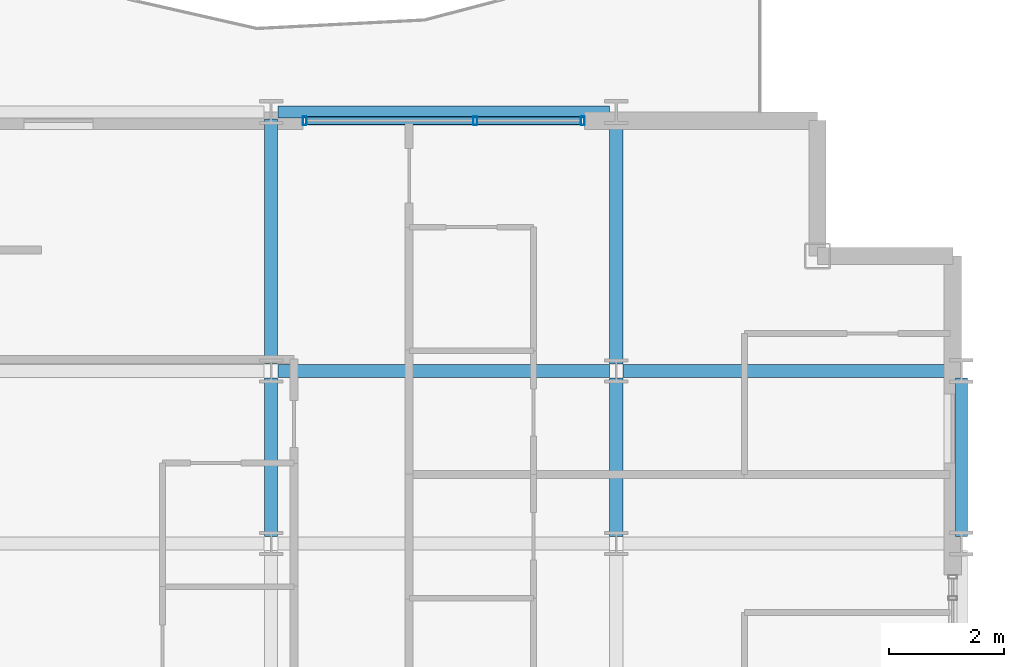
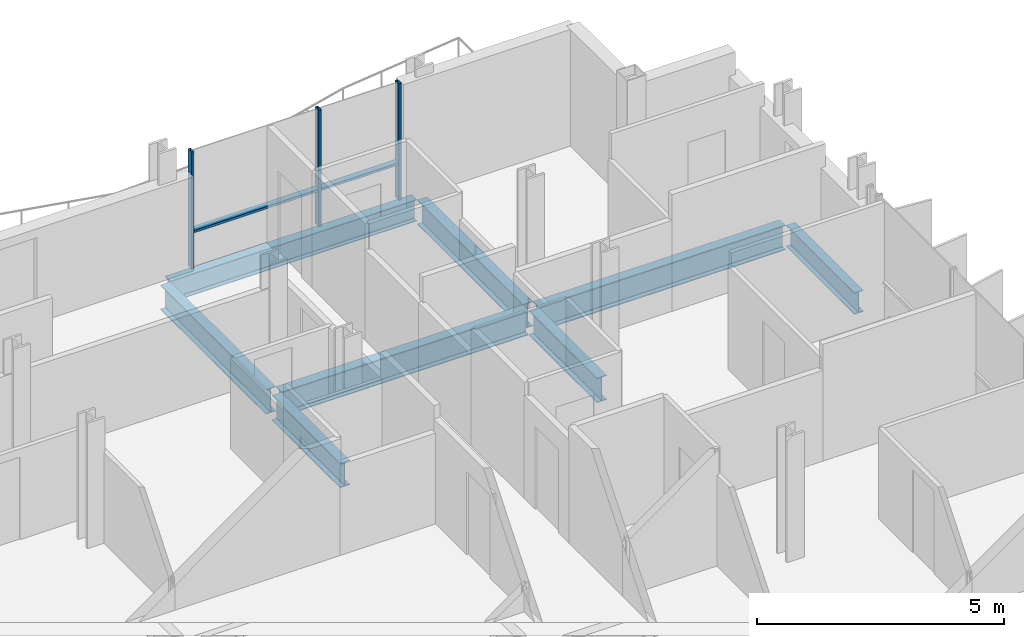
# One storey, part 20 of 38: 8 beams, 5 members, 1 element without a shape of its own.
"""IFC4 building model written with IfcOpenShell, lengths in metres."""

from ifc_helpers import new_model, si_unit, direction, frame, origin, origin_2d, place, context, subcontext, project, spatial, hollow_rectangle, i_section, extrude, material, layer, layer_set, material_profile, profile_set, type_object, element, aggregate, save


model = new_model("IFC4")

# Units and contexts
model_context = context("Model", 3, precision=1e-05, world=origin(), true_north=direction((0.0, 1.0)))
body_context = subcontext(model_context, "Body", "Model", "MODEL_VIEW")
ifc_project = project(units=[si_unit("LENGTHUNIT", "METRE"), si_unit("AREAUNIT", "SQUARE_METRE"), si_unit("VOLUMEUNIT", "CUBIC_METRE"), si_unit("PLANEANGLEUNIT", "RADIAN"), si_unit("MASSUNIT", "GRAM", prefix="KILO")], contexts=[model_context])

# Site, building, storey
site_placement = place(None, origin())
site = spatial("IfcSite", under=ifc_project, at=site_placement, CompositionType="ELEMENT")
building_placement = place(site_placement, origin())
building = spatial("IfcBuilding", under=site, at=building_placement, Name="Brevholm Reach", CompositionType="ELEMENT")
storey_placement = place(building_placement, frame((0.0, 0.0, 122.10009765625)))
storey = spatial("IfcBuildingStorey", under=building, at=storey_placement, Name="L36", CompositionType="ELEMENT", Elevation=122.10009765625)

# Beams
ifc_material_1 = material(Name="Structural Steel S355J2", Category="steel")
ifc_material_profile_1 = material_profile(ifc_material_1, i_section(OverallWidth=0.209228515625, OverallDepth=0.533203125, WebThickness=0.010009765625, FlangeThickness=0.015625, FilletRadius=0.0126953125, at=origin_2d()), Name="UKB 533x210x92")
ifc_profile_set_1 = profile_set([ifc_material_profile_1], Name="Structural Steel S355J2")
beam_type_1 = type_object("IfcBeamType", Name="BM-SP533", PredefinedType="SPANDREL", material=ifc_profile_set_1)
beam_1_placement = place(storey_placement, frame((48.1201171875, 31.0, -0.486572265625), z_axis=(1.0, 0.0, 0.0), x_axis=(0.0, 1.0, 0.0)))
element("IfcBeam", 1, at=beam_1_placement, inside=storey, type_object=beam_type_1, Name="L36 SP-02 Framing Beam", PredefinedType="SPANDREL", context=body_context, shape_type="SweptSolid", body=[
    extrude(i_section(OverallWidth=0.209228515625, OverallDepth=0.533203125, WebThickness=0.010009765625, FlangeThickness=0.015625, FilletRadius=0.0126953125, at=origin_2d()), origin(), (0.0, 0.0, 1.0), 5.759765625),
])
beam_2_placement = place(storey_placement, frame((60.0, 23.6201171875, -0.486572265625), z_axis=(0.0, 1.0, 0.0), x_axis=(-1.0, 0.0, 0.0)))
element("IfcBeam", 2, at=beam_2_placement, inside=storey, type_object=beam_type_1, Name="L36 SP-02 Framing Beam", PredefinedType="SPANDREL", context=body_context, shape_type="SweptSolid", body=[
    extrude(i_section(OverallWidth=0.209228515625, OverallDepth=0.533203125, WebThickness=0.010009765625, FlangeThickness=0.015625, FilletRadius=0.0126953125, at=origin_2d()), origin(), (0.0, 0.0, 1.0), 2.759765625),
])
ifc_material_2 = material(Name="Structural Steel S355J2", Category="steel")
ifc_material_profile_2 = material_profile(ifc_material_2, i_section(OverallWidth=0.22900390625, OverallDepth=0.6123046875, WebThickness=0.011962890625, FlangeThickness=0.01953125, FilletRadius=0.0126953125, at=origin_2d()), Name="UKB 610x229x125")
ifc_profile_set_2 = profile_set([ifc_material_profile_2], Name="Structural Steel S355J2")
beam_type_2 = type_object("IfcBeamType", Name="BM-SP610", PredefinedType="SPANDREL", material=ifc_profile_set_2)
for number, where, z_axis, x_axis, name in (
    (3, (48.1201171875, 26.5, -0.526123046875), (1.0, 0.0, 0.0), (0.0, 1.0, 0.0), "L36 SP-01 Framing Beam"),
    (4, (54.1201171875, 26.5, -0.526123046875), (1.0, 0.0, 0.0), (0.0, 1.0, 0.0), "L36 SP-01 Framing Beam"),
):
    element("IfcBeam", number, at=place(storey_placement, frame(where, z_axis=z_axis, x_axis=x_axis)), inside=storey, type_object=beam_type_2, Name=name, PredefinedType="SPANDREL", context=body_context, shape_type="SweptSolid", body=[
        extrude(i_section(OverallWidth=0.22900390625, OverallDepth=0.6123046875, WebThickness=0.011962890625, FlangeThickness=0.01953125, FilletRadius=0.0126953125, at=origin_2d()), origin(), (0.0, 0.0, 1.0), 5.759765625),
    ])
beam_3_placement = place(storey_placement, frame((48.0, 23.6201171875, -0.526123046875), z_axis=(0.0, 1.0, 0.0), x_axis=(-1.0, 0.0, 0.0)))
element("IfcBeam", 5, at=beam_3_placement, inside=storey, type_object=beam_type_2, Name="L36 SP-01 Framing Beam", PredefinedType="SPANDREL", context=body_context, shape_type="SweptSolid", body=[
    extrude(i_section(OverallWidth=0.22900390625, OverallDepth=0.6123046875, WebThickness=0.011962890625, FlangeThickness=0.01953125, FilletRadius=0.0126953125, at=origin_2d()), origin(), (0.0, 0.0, 1.0), 2.759765625),
])
beam_4_placement = place(storey_placement, frame((48.0, 26.6201171875, -0.526123046875), z_axis=(0.0, 1.0, 0.0), x_axis=(-1.0, 0.0, 0.0)))
element("IfcBeam", 6, at=beam_4_placement, inside=storey, type_object=beam_type_2, Name="L36 SP-01 Framing Beam", PredefinedType="SPANDREL", context=body_context, shape_type="SweptSolid", body=[
    extrude(i_section(OverallWidth=0.22900390625, OverallDepth=0.6123046875, WebThickness=0.011962890625, FlangeThickness=0.01953125, FilletRadius=0.0126953125, at=origin_2d()), origin(), (0.0, 0.0, 1.0), 4.259765625),
])
beam_5_placement = place(storey_placement, frame((54.0, 23.6201171875, -0.526123046875), z_axis=(0.0, 1.0, 0.0), x_axis=(-1.0, 0.0, 0.0)))
element("IfcBeam", 7, at=beam_5_placement, inside=storey, type_object=beam_type_2, Name="L36 SP-01 Framing Beam", PredefinedType="SPANDREL", context=body_context, shape_type="SweptSolid", body=[
    extrude(i_section(OverallWidth=0.22900390625, OverallDepth=0.6123046875, WebThickness=0.011962890625, FlangeThickness=0.01953125, FilletRadius=0.0126953125, at=origin_2d()), origin(), (0.0, 0.0, 1.0), 2.759765625),
])
beam_6_placement = place(storey_placement, frame((54.0, 26.6201171875, -0.526123046875), z_axis=(0.0, 1.0, 0.0), x_axis=(-1.0, 0.0, 0.0)))
element("IfcBeam", 8, at=beam_6_placement, inside=storey, type_object=beam_type_2, Name="L36 SP-01 Framing Beam", PredefinedType="SPANDREL", context=body_context, shape_type="SweptSolid", body=[
    extrude(i_section(OverallWidth=0.22900390625, OverallDepth=0.6123046875, WebThickness=0.011962890625, FlangeThickness=0.01953125, FilletRadius=0.0126953125, at=origin_2d()), origin(), (0.0, 0.0, 1.0), 4.259765625),
])

# Curtain wall, members
ifc_material_3 = material(Name="Dark Anodised Aluminium 6063-T6 and Solar-Control Glass", Category="aluminium")
ifc_layer = layer(ifc_material_3, 0.14990234375)
ifc_layer_set = layer_set([ifc_layer], Name="Dark Anodised Aluminium 6063-T6 and Solar-Control Glass")
curtain_wall_type = type_object("IfcCurtainWallType", Name="CW-01", PredefinedType="NOTDEFINED", material=ifc_layer_set)
curtain_wall_placement = place(storey_placement, origin())
curtain_wall = element("IfcCurtainWall", 9, at=curtain_wall_placement, inside=storey, type_object=curtain_wall_type, Name="L36 Curtain Wall CW-01", PredefinedType="NOTDEFINED")
ifc_material_4 = material(Name="Dark Anodised Aluminium 6063-T6", Category="aluminium")
ifc_material_profile_3 = material_profile(ifc_material_4, hollow_rectangle(XDim=0.06494140625, YDim=0.14990234375, WallThickness=0.0048828125, InnerFilletRadius=0.0048828125, OuterFilletRadius=0.010009765625, at=origin_2d()), Name="RHS 150x65x5")
ifc_profile_set_3 = profile_set([ifc_material_profile_3], Name="Dark Anodised Aluminium 6063-T6")
member_type_1 = type_object("IfcMemberType", Name="CWM-150", PredefinedType="MULLION", material=ifc_profile_set_3)
member_1_placement = place(storey_placement, frame((48.58251953125, 30.85009765625, 0.0), z_axis=(0.0, 0.0, 1.0), x_axis=(1.0, 0.0, 0.0)))
member_1 = element("IfcMember", 10, at=member_1_placement, type_object=member_type_1, Name="CM-150 Mullion 1", PredefinedType="MULLION", context=body_context, shape_type="SweptSolid", body=[
    extrude(hollow_rectangle(XDim=0.06494140625, YDim=0.14990234375, WallThickness=0.0048828125, InnerFilletRadius=0.0048828125, OuterFilletRadius=0.010009765625, at=origin_2d()), origin(), (0.0, 0.0, 1.0), 2.8798828125),
])
member_2_placement = place(storey_placement, frame((51.550048828125, 30.85009765625, 0.0), z_axis=(0.0, 0.0, 1.0), x_axis=(1.0, 0.0, 0.0)))
member_2 = element("IfcMember", 11, at=member_2_placement, type_object=member_type_1, Name="CM-150 Mullion 2", PredefinedType="MULLION", context=body_context, shape_type="SweptSolid", body=[
    extrude(hollow_rectangle(XDim=0.06494140625, YDim=0.14990234375, WallThickness=0.0048828125, InnerFilletRadius=0.0048828125, OuterFilletRadius=0.010009765625, at=origin_2d()), origin(), (0.0, 0.0, 1.0), 2.8798828125),
])
member_3_placement = place(storey_placement, frame((53.41748046875, 30.85009765625, 0.0), z_axis=(0.0, 0.0, 1.0), x_axis=(1.0, 0.0, 0.0)))
member_3 = element("IfcMember", 12, at=member_3_placement, type_object=member_type_1, Name="CM-150 Mullion 3", PredefinedType="MULLION", context=body_context, shape_type="SweptSolid", body=[
    extrude(hollow_rectangle(XDim=0.06494140625, YDim=0.14990234375, WallThickness=0.0048828125, InnerFilletRadius=0.0048828125, OuterFilletRadius=0.010009765625, at=origin_2d()), origin(), (0.0, 0.0, 1.0), 2.8798828125),
])
ifc_material_5 = material(Name="Dark Anodised Aluminium 6063-T6", Category="aluminium")
ifc_material_profile_4 = material_profile(ifc_material_5, hollow_rectangle(XDim=0.06494140625, YDim=0.14990234375, WallThickness=0.0048828125, InnerFilletRadius=0.0048828125, OuterFilletRadius=0.010009765625, at=origin_2d()), Name="RHS 150x65x5")
ifc_profile_set_4 = profile_set([ifc_material_profile_4], Name="Dark Anodised Aluminium 6063-T6")
member_type_2 = type_object("IfcMemberType", Name="CWT-150", PredefinedType="NOTDEFINED", material=ifc_profile_set_4)
member_4_placement = place(storey_placement, frame((48.614990234375, 30.85009765625, 0.89990234375), z_axis=(1.0, 0.0, 0.0), x_axis=(0.0, 0.0, 1.0)))
member_4 = element("IfcMember", 13, at=member_4_placement, type_object=member_type_2, Name="CT-150 Transom 1.1", ObjectType="TRANSOM", PredefinedType="USERDEFINED", context=body_context, shape_type="SweptSolid", body=[
    extrude(hollow_rectangle(XDim=0.06494140625, YDim=0.14990234375, WallThickness=0.0048828125, InnerFilletRadius=0.0048828125, OuterFilletRadius=0.010009765625, at=origin_2d()), origin(), (0.0, 0.0, 1.0), 2.902587890625),
])
member_5_placement = place(storey_placement, frame((51.58251953125, 30.85009765625, 0.89990234375), z_axis=(1.0, 0.0, 0.0), x_axis=(0.0, 0.0, 1.0)))
member_5 = element("IfcMember", 14, at=member_5_placement, type_object=member_type_2, Name="CT-150 Transom 2.1", ObjectType="TRANSOM", PredefinedType="USERDEFINED", context=body_context, shape_type="SweptSolid", body=[
    extrude(hollow_rectangle(XDim=0.06494140625, YDim=0.14990234375, WallThickness=0.0048828125, InnerFilletRadius=0.0048828125, OuterFilletRadius=0.010009765625, at=origin_2d()), origin(), (0.0, 0.0, 1.0), 1.802490234375),
])
aggregate(curtain_wall, [member_1, member_2, member_3, member_4, member_5])

save(model, "model.ifc")
